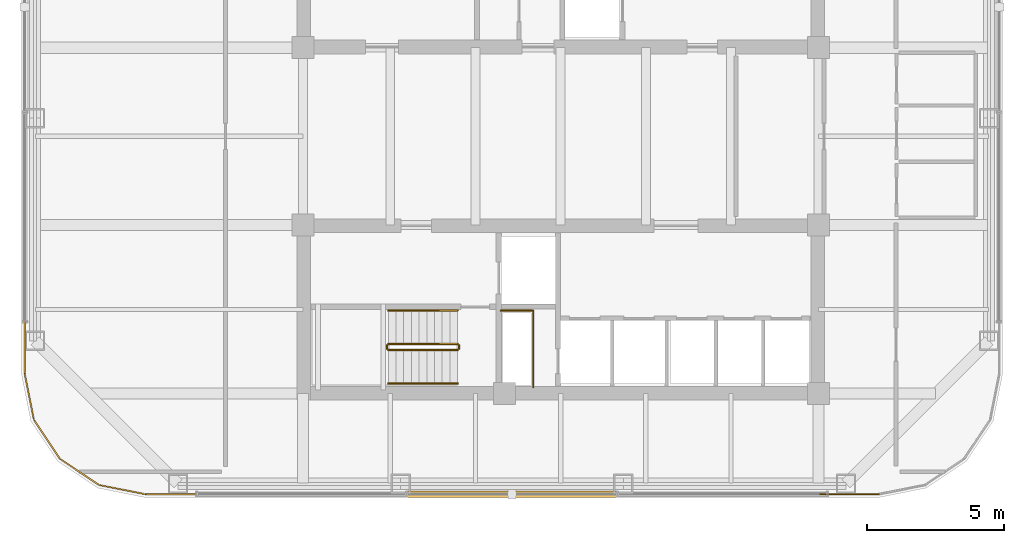
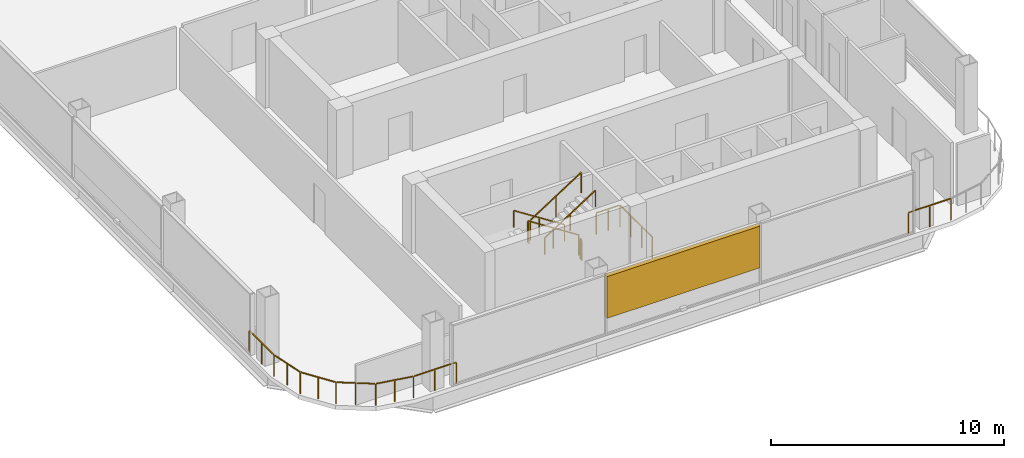
# One storey, part 17 of 19: 9 railings, 1 shading device.
"""IFC4 building model written with IfcOpenShell, lengths in metres."""

from ifc_helpers import new_model, si_unit, direction, frame, origin, origin_2d, place, context, subcontext, project, spatial, rectangle, extrude, material, type_object, element, save


model = new_model("IFC4")

# Units and contexts
model_context = context("Model", 3, precision=1e-05, world=origin(), true_north=direction((0.0, 1.0)))
body_context = subcontext(model_context, "Body", "Model", "MODEL_VIEW")
ifc_project = project(units=[si_unit("LENGTHUNIT", "METRE"), si_unit("AREAUNIT", "SQUARE_METRE"), si_unit("VOLUMEUNIT", "CUBIC_METRE"), si_unit("PLANEANGLEUNIT", "RADIAN"), si_unit("MASSUNIT", "GRAM", prefix="KILO")], contexts=[model_context])

# Site, building, storey
site_placement = place(None, origin())
site = spatial("IfcSite", under=ifc_project, at=site_placement, CompositionType="ELEMENT")
building_placement = place(site_placement, origin())
building = spatial("IfcBuilding", under=site, at=building_placement, Name="Qhalaya Broadcast Tower", CompositionType="ELEMENT")
storey_placement = place(building_placement, frame((0.0, 0.0, 148.199951171875)))
storey = spatial("IfcBuildingStorey", under=building, at=storey_placement, Name="L43", CompositionType="ELEMENT", Elevation=148.199951171875)

# Railings
ifc_material_1 = material(Name="Powder-Coated Galvanised Steel", Category="steel")
railing_type_1 = type_object("IfcRailingType", Name="Stair Wall Handrail 900", PredefinedType="HANDRAIL", material=ifc_material_1)
railing_1_placement = place(storey_placement, frame((-3.75, -5.72998046875, 0.179931640625)))
element("IfcRailing", 1, at=railing_1_placement, inside=storey, type_object=railing_type_1, Name="L43 ST-2 Stair Handrail 1", PredefinedType="HANDRAIL", context=body_context, shape_type="SweptSolid", body=[
    extrude(rectangle(XDim=0.048095703125, YDim=0.048095703125, at=origin_2d()), frame((0.0, 0.0, 0.8759765625), z_axis=(-0.841162588446, 0.0, 0.540782303519), x_axis=(0.0, -1.0, 0.0)), (0.0, 0.0, 1.0), 2.995849609375),
    extrude(rectangle(XDim=0.0419921875, YDim=0.0419921875, at=origin_2d()), origin(), (0.0, 0.0, 1.0), 0.849853515625),
    extrude(rectangle(XDim=0.0419921875, YDim=0.0419921875, at=origin_2d()), frame((-1.260009765625, 0.0, 0.81005859375)), (0.0, 0.0, 1.0), 0.849853515625),
    extrude(rectangle(XDim=0.0419921875, YDim=0.0419921875, at=origin_2d()), frame((-2.52001953125, 0.0, 1.6201171875)), (0.0, 0.0, 1.0), 0.849853515625),
])
railing_2_placement = place(storey_placement, frame((-6.27001953125, -8.389892578125, 1.97998046875)))
element("IfcRailing", 2, at=railing_2_placement, inside=storey, type_object=railing_type_1, Name="L43 ST-2 Stair Handrail 2", PredefinedType="HANDRAIL", context=body_context, shape_type="SweptSolid", body=[
    extrude(rectangle(XDim=0.048095703125, YDim=0.048095703125, at=origin_2d()), frame((0.0, 0.0, 0.8759765625), z_axis=(0.841162588446, 0.0, 0.540782303519), x_axis=(0.0, 1.0, 0.0)), (0.0, 0.0, 1.0), 2.995849609375),
    extrude(rectangle(XDim=0.0419921875, YDim=0.0419921875, at=origin_2d()), origin(), (0.0, 0.0, 1.0), 0.849853515625),
    extrude(rectangle(XDim=0.0419921875, YDim=0.0419921875, at=origin_2d()), frame((1.260009765625, 0.0, 0.81005859375)), (0.0, 0.0, 1.0), 0.849853515625),
    extrude(rectangle(XDim=0.0419921875, YDim=0.0419921875, at=origin_2d()), frame((2.52001953125, 0.0, 1.6201171875)), (0.0, 0.0, 1.0), 0.849853515625),
])
railing_type_2 = type_object("IfcRailingType", Name="Stair Well & Landing Guardrail 1100", PredefinedType="GUARDRAIL", material=ifc_material_1)
railing_3_placement = place(storey_placement, frame((-1.0, -8.52001953125, 0.0)))
element("IfcRailing", 3, at=railing_3_placement, inside=storey, type_object=railing_type_2, Name="L43 Service Riser Opening Safety Guard SRSR", PredefinedType="GUARDRAIL", context=body_context, shape_type="SweptSolid", body=[
    extrude(rectangle(XDim=0.048095703125, YDim=0.048095703125, at=origin_2d()), frame((0.0, 0.0, 1.1259765625), z_axis=(0.0, 1.0, 0.0), x_axis=(-1.0, 0.0, 0.0)), (0.0, 0.0, 1.0), 2.751220703125),
    extrude(rectangle(XDim=0.048095703125, YDim=0.048095703125, at=origin_2d()), frame((-0.02880859375, 2.780029296875, 1.1259765625), z_axis=(-1.0, 0.0, 0.0), x_axis=(0.0, -1.0, 0.0)), (0.0, 0.0, 1.0), 1.151123046875),
    extrude(rectangle(XDim=0.0419921875, YDim=0.0419921875, at=origin_2d()), origin(), (0.0, 0.0, 1.0), 1.099853515625),
    extrude(rectangle(XDim=0.0419921875, YDim=0.0419921875, at=origin_2d()), frame((0.0, 0.9267578125, 0.0)), (0.0, 0.0, 1.0), 1.099853515625),
    extrude(rectangle(XDim=0.0419921875, YDim=0.0419921875, at=origin_2d()), frame((0.0, 1.853271484375, 0.0)), (0.0, 0.0, 1.0), 1.099853515625),
    extrude(rectangle(XDim=0.0419921875, YDim=0.0419921875, at=origin_2d()), frame((0.0, 2.780029296875, 0.0)), (0.0, 0.0, 1.0), 1.099853515625),
    extrude(rectangle(XDim=0.0419921875, YDim=0.0419921875, at=origin_2d()), frame((-0.58984375, 2.780029296875, 0.0)), (0.0, 0.0, 1.0), 1.099853515625),
    extrude(rectangle(XDim=0.0419921875, YDim=0.0419921875, at=origin_2d()), frame((-1.179931640625, 2.780029296875, 0.0)), (0.0, 0.0, 1.0), 1.099853515625),
])
railing_4_placement = place(storey_placement, frame((-3.75, -6.949951171875, 0.179931640625)))
element("IfcRailing", 4, at=railing_4_placement, inside=storey, type_object=railing_type_2, Name="L43 ST-2 Stair Guard 1", PredefinedType="GUARDRAIL", context=body_context, shape_type="SweptSolid", body=[
    extrude(rectangle(XDim=0.048095703125, YDim=0.048095703125, at=origin_2d()), frame((0.0, 0.0, 1.076171875), z_axis=(-0.841162588446, 0.0, 0.540782303519), x_axis=(0.0, -1.0, 0.0)), (0.0, 0.0, 1.0), 2.995849609375),
    extrude(rectangle(XDim=0.0419921875, YDim=0.0419921875, at=origin_2d()), origin(), (0.0, 0.0, 1.0), 1.050048828125),
    extrude(rectangle(XDim=0.0419921875, YDim=0.0419921875, at=origin_2d()), frame((-1.260009765625, 0.0, 0.81005859375)), (0.0, 0.0, 1.0), 1.050048828125),
    extrude(rectangle(XDim=0.0419921875, YDim=0.0419921875, at=origin_2d()), frame((-2.52001953125, 0.0, 1.6201171875)), (0.0, 0.0, 1.0), 1.050048828125),
])
railing_5_placement = place(storey_placement, frame((-6.320068359375, -7.0, 1.800048828125)))
element("IfcRailing", 5, at=railing_5_placement, inside=storey, type_object=railing_type_2, Name="L43 ST-2 Stair Guard 2", PredefinedType="GUARDRAIL", context=body_context, shape_type="SweptSolid", body=[
    extrude(rectangle(XDim=0.048095703125, YDim=0.048095703125, at=origin_2d()), frame((0.0, 0.0, 1.076171875), z_axis=(0.0, -1.0, 0.0), x_axis=(1.0, 0.0, 0.0)), (0.0, 0.0, 1.0), 0.1201171875),
    extrude(rectangle(XDim=0.0419921875, YDim=0.0419921875, at=origin_2d()), origin(), (0.0, 0.0, 1.0), 1.050048828125),
    extrude(rectangle(XDim=0.0419921875, YDim=0.0419921875, at=origin_2d()), frame((0.0, -0.1201171875, 0.0)), (0.0, 0.0, 1.0), 1.050048828125),
])
railing_6_placement = place(storey_placement, frame((-6.27001953125, -7.169921875, 1.97998046875)))
element("IfcRailing", 6, at=railing_6_placement, inside=storey, type_object=railing_type_2, Name="L43 ST-2 Stair Guard 3", PredefinedType="GUARDRAIL", context=body_context, shape_type="SweptSolid", body=[
    extrude(rectangle(XDim=0.048095703125, YDim=0.048095703125, at=origin_2d()), frame((0.0, 0.0, 1.076171875), z_axis=(0.841162588446, 0.0, 0.540782303519), x_axis=(0.0, 1.0, 0.0)), (0.0, 0.0, 1.0), 2.995849609375),
    extrude(rectangle(XDim=0.0419921875, YDim=0.0419921875, at=origin_2d()), origin(), (0.0, 0.0, 1.0), 1.050048828125),
    extrude(rectangle(XDim=0.0419921875, YDim=0.0419921875, at=origin_2d()), frame((1.260009765625, 0.0, 0.81005859375)), (0.0, 0.0, 1.0), 1.050048828125),
    extrude(rectangle(XDim=0.0419921875, YDim=0.0419921875, at=origin_2d()), frame((2.52001953125, 0.0, 1.6201171875)), (0.0, 0.0, 1.0), 1.050048828125),
])
railing_7_placement = place(storey_placement, frame((-3.699951171875, -7.0, 0.0)))
element("IfcRailing", 7, at=railing_7_placement, inside=storey, type_object=railing_type_2, Name="L43 ST-2 Stair Guard 4", PredefinedType="GUARDRAIL", context=body_context, shape_type="SweptSolid", body=[
    extrude(rectangle(XDim=0.048095703125, YDim=0.048095703125, at=origin_2d()), frame((0.0, 0.0, 1.076171875), z_axis=(0.0, -1.0, 0.0), x_axis=(1.0, 0.0, 0.0)), (0.0, 0.0, 1.0), 0.1201171875),
    extrude(rectangle(XDim=0.0419921875, YDim=0.0419921875, at=origin_2d()), origin(), (0.0, 0.0, 1.0), 1.050048828125),
    extrude(rectangle(XDim=0.0419921875, YDim=0.0419921875, at=origin_2d()), frame((0.0, -0.1201171875, 0.0)), (0.0, 0.0, 1.0), 1.050048828125),
])
railing_type_3 = type_object("IfcRailingType", Name="Terrace, Sky-Pool & Lookout Glass Balustrade 1150", PredefinedType="BALUSTRADE", material=ifc_material_1)
railing_8_placement = place(storey_placement, frame((11.568115234375, -12.419921875, 0.0)))
element("IfcRailing", 8, at=railing_8_placement, inside=storey, type_object=railing_type_3, Name="L43 Rounded Corner Perimeter Guard 01", PredefinedType="BALUSTRADE", context=body_context, shape_type="SweptSolid", body=[
    extrude(rectangle(XDim=0.048095703125, YDim=0.048095703125, at=origin_2d()), frame((0.0, 0.0, 1.1259765625), z_axis=(-1.0, 0.0, 0.0), x_axis=(0.0, -1.0, 0.0)), (0.0, 0.0, 1.0), 2.1181640625),
    extrude(rectangle(XDim=0.0419921875, YDim=0.0419921875, at=origin_2d()), origin(), (0.0, 0.0, 1.0), 1.099853515625),
    extrude(rectangle(XDim=0.0419921875, YDim=0.0419921875, at=origin_2d()), frame((-1.05908203125, 0.0, 0.0)), (0.0, 0.0, 1.0), 1.099853515625),
    extrude(rectangle(XDim=0.0419921875, YDim=0.0419921875, at=origin_2d()), frame((-2.1181640625, 0.0, 0.0)), (0.0, 0.0, 1.0), 1.099853515625),
])
railing_9_placement = place(storey_placement, frame((-12.989990234375, -12.419921875, 0.0)))
element("IfcRailing", 9, at=railing_9_placement, inside=storey, type_object=railing_type_3, Name="L43 Rounded Corner Perimeter Guard 02", PredefinedType="BALUSTRADE", context=body_context, shape_type="SweptSolid", body=[
    extrude(rectangle(XDim=0.048095703125, YDim=0.048095703125, at=origin_2d()), frame((0.0, 0.0, 1.1259765625), z_axis=(-1.0, 0.0, 0.0), x_axis=(0.0, -1.0, 0.0)), (0.0, 0.0, 1.0), 2.08935546875),
    extrude(rectangle(XDim=0.048095703125, YDim=0.048095703125, at=origin_2d()), frame((-2.146484375, 0.005615234375, 1.1259765625), z_axis=(-0.980803832953, 0.194997028864, 0.0), x_axis=(-0.194997028864, -0.980803832953, 0.0)), (0.0, 0.0, 1.0), 1.66259765625),
    extrude(rectangle(XDim=0.048095703125, YDim=0.048095703125, at=origin_2d()), frame((-3.829345703125, 0.3515625, 1.1259765625), z_axis=(-0.831456085426, 0.555590476887, 0.0), x_axis=(-0.555590476887, -0.831456085426, 0.0)), (0.0, 0.0, 1.0), 1.650390625),
    extrude(rectangle(XDim=0.048095703125, YDim=0.048095703125, at=origin_2d()), frame((-5.24169921875, 1.308349609375, 1.1259765625), z_axis=(-0.555590476887, 0.831456085426, 0.0), x_axis=(-0.831456085426, -0.555590476887, 0.0)), (0.0, 0.0, 1.0), 1.650390625),
    extrude(rectangle(XDim=0.048095703125, YDim=0.048095703125, at=origin_2d()), frame((-6.18017578125, 2.73291015625, 1.1259765625), z_axis=(-0.195024175165, 0.980798435511, 0.0), x_axis=(-0.980798435511, -0.195024175165, 0.0)), (0.0, 0.0, 1.0), 1.662353515625),
    extrude(rectangle(XDim=0.048095703125, YDim=0.048095703125, at=origin_2d()), frame((-6.510009765625, 4.42041015625, 1.1259765625), z_axis=(0.0, 1.0, 0.0), x_axis=(-1.0, 0.0, 0.0)), (0.0, 0.0, 1.0), 2.089599609375),
    extrude(rectangle(XDim=0.0419921875, YDim=0.0419921875, at=origin_2d()), origin(), (0.0, 0.0, 1.0), 1.099853515625),
    extrude(rectangle(XDim=0.0419921875, YDim=0.0419921875, at=origin_2d()), frame((-1.05908203125, 0.0, 0.0)), (0.0, 0.0, 1.0), 1.099853515625),
    extrude(rectangle(XDim=0.0419921875, YDim=0.0419921875, at=origin_2d()), frame((-2.1181640625, 0.0, 0.0)), (0.0, 0.0, 1.0), 1.099853515625),
    extrude(rectangle(XDim=0.0419921875, YDim=0.0419921875, at=origin_2d()), frame((-2.9619140625, 0.167724609375, 0.0)), (0.0, 0.0, 1.0), 1.099853515625),
    extrude(rectangle(XDim=0.0419921875, YDim=0.0419921875, at=origin_2d()), frame((-3.805419921875, 0.33544921875, 0.0)), (0.0, 0.0, 1.0), 1.099853515625),
    extrude(rectangle(XDim=0.0419921875, YDim=0.0419921875, at=origin_2d()), frame((-4.515625, 0.81005859375, 0.0)), (0.0, 0.0, 1.0), 1.099853515625),
    extrude(rectangle(XDim=0.0419921875, YDim=0.0419921875, at=origin_2d()), frame((-5.2255859375, 1.284423828125, 0.0)), (0.0, 0.0, 1.0), 1.099853515625),
    extrude(rectangle(XDim=0.0419921875, YDim=0.0419921875, at=origin_2d()), frame((-5.7001953125, 1.99462890625, 0.0)), (0.0, 0.0, 1.0), 1.099853515625),
    extrude(rectangle(XDim=0.0419921875, YDim=0.0419921875, at=origin_2d()), frame((-6.174560546875, 2.70458984375, 0.0)), (0.0, 0.0, 1.0), 1.099853515625),
    extrude(rectangle(XDim=0.0419921875, YDim=0.0419921875, at=origin_2d()), frame((-6.34228515625, 3.548095703125, 0.0)), (0.0, 0.0, 1.0), 1.099853515625),
    extrude(rectangle(XDim=0.0419921875, YDim=0.0419921875, at=origin_2d()), frame((-6.510009765625, 4.3916015625, 0.0)), (0.0, 0.0, 1.0), 1.099853515625),
    extrude(rectangle(XDim=0.0419921875, YDim=0.0419921875, at=origin_2d()), frame((-6.510009765625, 5.45068359375, 0.0)), (0.0, 0.0, 1.0), 1.099853515625),
    extrude(rectangle(XDim=0.0419921875, YDim=0.0419921875, at=origin_2d()), frame((-6.510009765625, 6.510009765625, 0.0)), (0.0, 0.0, 1.0), 1.099853515625),
])

# Shading device
ifc_material_2 = material(Name="Fired Architectural Terracotta", Category="masonry")
shading_device_type = type_object("IfcShadingDeviceType", Name="Terracotta Baguette Solar Screen Assembly TBS-01", PredefinedType="USERDEFINED", material=ifc_material_2)
shading_device_placement = place(storey_placement, frame((-1.77001953125, -12.419921875, 0.9013671875), z_axis=(0.0, 0.0, 1.0), x_axis=(1.0, 0.0, 0.0)))
element("IfcShadingDevice", 10, at=shading_device_placement, inside=storey, type_object=shading_device_type, Name="L43 Fired Terracotta Baguette Screen S", ObjectType="BAGUETTE", PredefinedType="USERDEFINED", context=body_context, shape_type="SweptSolid", body=[
    extrude(rectangle(XDim=7.60009765625, YDim=0.239990234375, at=origin_2d()), origin(), (0.0, 0.0, 1.0), 2.18994140625),
])

save(model, "model.ifc")
